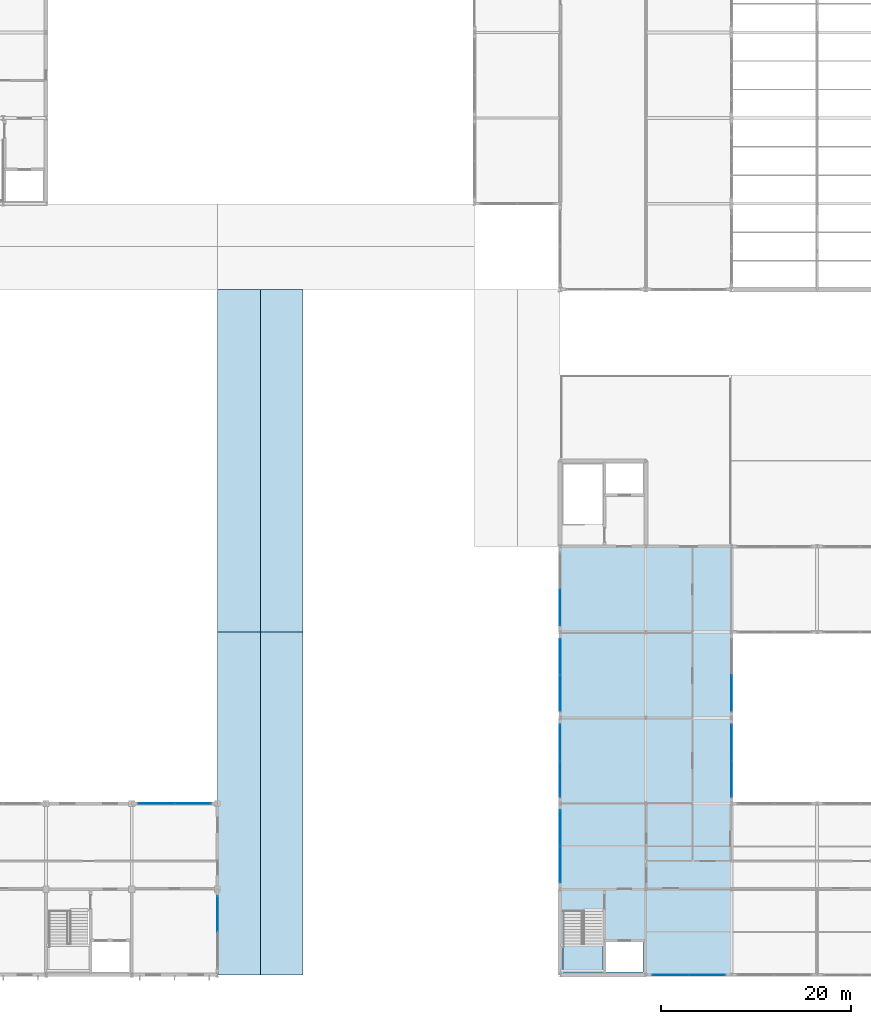
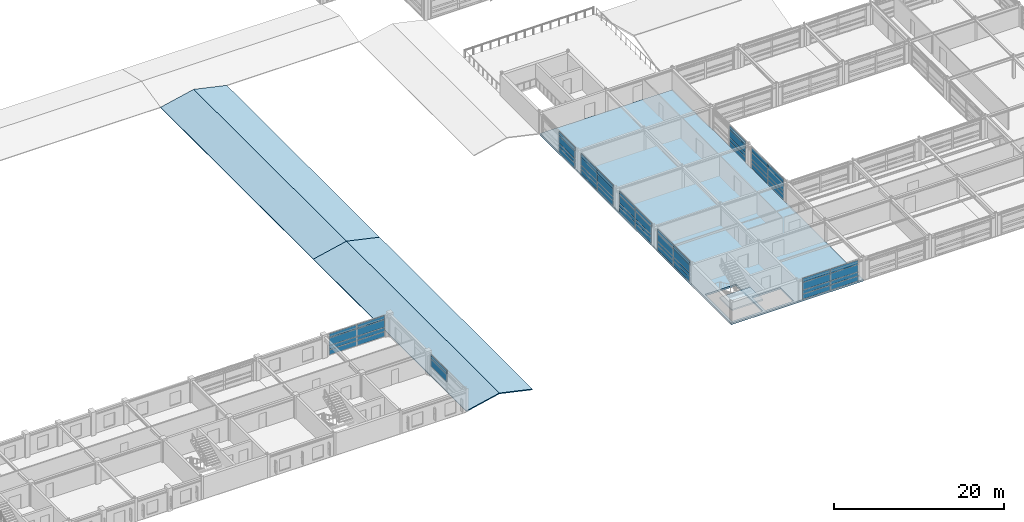
# One storey, part 63 of 91: 58 plates, 6 slabs, 9 elements without a shape of their own.
"""IFC4 building model written with IfcOpenShell, lengths in metres."""

import ifcopenshell
import ifcopenshell.guid

model = None  # the IFC model being written
_history = None  # IfcOwnerHistory: only IFC2X3 demands one
_inside = {}  # id of a spatial element -> (the spatial element, [elements in it])
_under = {}  # id of a project, library or spatial element -> (it, [spatial elements below it])
_declared = {}  # id of a project -> (the project, [libraries it declares])
_typed = {}  # id of a type object -> (the type object, [elements of that type])
_made_of = {}  # id of a material, layer set ... -> (it, [elements and type objects made of it])


def new_model(schema):
    """Start an empty IFC model of exactly this schema.

    Asked for "IFC4X3", IfcOpenShell would pick the latest addendum, in which some entities
    have other attributes; the version numbers below select the first issue.
    IFC2X3 requires an IfcOwnerHistory on every rooted entity: one is made here for all.
    """
    global model, _history
    if schema == "IFC4X3":
        model = ifcopenshell.file(schema_version=(4, 3, 0, 0))
    else:
        model = ifcopenshell.file(schema=schema)
    _inside.clear()
    _under.clear()
    _declared.clear()
    _typed.clear()
    _made_of.clear()
    _history = None
    if model.schema == "IFC2X3":
        org = make("IfcOrganization", Name="unknown")
        user = make(
            "IfcPersonAndOrganization",
            ThePerson=make("IfcPerson", FamilyName="unknown"),
            TheOrganization=org,
        )
        app = make(
            "IfcApplication",
            ApplicationDeveloper=org,
            Version="unknown",
            ApplicationFullName="unknown",
            ApplicationIdentifier="unknown",
        )
        _history = make(
            "IfcOwnerHistory",
            OwningUser=user,
            OwningApplication=app,
            ChangeAction="ADDED",
            CreationDate=0,
        )
    return model


def make(cls, **values):
    """One entity of the class cls with the attributes given. An attribute that is None is left unset."""
    return model.create_entity(
        cls, **{name: value for name, value in values.items() if value is not None}
    )


def rooted(cls, **values):
    """An entity with a GlobalId (a new one), such as an element, a storey or a relation."""
    return make(cls, GlobalId=ifcopenshell.guid.new(), OwnerHistory=_history, **values)


def si_unit(unit_type, name, prefix=None):
    """IfcSIUnit, for example si_unit("LENGTHUNIT", "METRE", prefix="MILLI")."""
    return make("IfcSIUnit", UnitType=unit_type, Prefix=prefix, Name=name)


def assignment(units):
    """IfcUnitAssignment: the units of a project."""
    return None if units is None else make("IfcUnitAssignment", Units=units)


def point(xyz):
    """IfcCartesianPoint."""
    return None if xyz is None else make("IfcCartesianPoint", Coordinates=xyz)


def direction(xyz):
    """IfcDirection."""
    return None if xyz is None else make("IfcDirection", DirectionRatios=xyz)


def frame(location, z_axis=None, x_axis=None):
    """IfcAxis2Placement3D, a coordinate frame: its origin and axes. An axis left out is left unset."""
    return make(
        "IfcAxis2Placement3D",
        Location=point(location),
        Axis=direction(z_axis),
        RefDirection=direction(x_axis),
    )


def frame_2d(location, x_axis=None):
    """IfcAxis2Placement2D, a coordinate frame in the plane: its origin and x axis."""
    return make(
        "IfcAxis2Placement2D", Location=point(location), RefDirection=direction(x_axis)
    )


def origin():
    """The frame at (0, 0, 0) with its axes left unset."""
    return frame((0.0, 0.0, 0.0))


def origin_2d():
    """The frame at (0, 0) in the plane with its x axis left unset."""
    return frame_2d((0.0, 0.0))


def place(relative_to, where):
    """IfcLocalPlacement: puts the frame where relative to a parent placement (None: the world)."""
    return make(
        "IfcLocalPlacement", PlacementRelTo=relative_to, RelativePlacement=where
    )


def context(
    kind, dimensions, precision=None, world=None, true_north=None, identifier=None
):
    """IfcGeometricRepresentationContext, for example the 3D "Model" context."""
    return make(
        "IfcGeometricRepresentationContext",
        ContextIdentifier=identifier,
        ContextType=kind,
        CoordinateSpaceDimension=dimensions,
        Precision=precision,
        WorldCoordinateSystem=world,
        TrueNorth=true_north,
    )


def subcontext(parent, identifier, kind, view, scale=None):
    """IfcGeometricRepresentationSubContext, for example "Body" below "Model"."""
    return make(
        "IfcGeometricRepresentationSubContext",
        ContextIdentifier=identifier,
        ContextType=kind,
        ParentContext=parent,
        TargetScale=scale,
        TargetView=view,
    )


def project(units=None, contexts=None):
    """IfcProject with its units and contexts."""
    return rooted(
        "IfcProject",
        Name="project",
        RepresentationContexts=contexts,
        UnitsInContext=assignment(units),
    )


def spatial(cls, under=None, at=None, **own):
    """A site, building, storey or space (cls), placed at a placement, below another one or the project."""
    s = rooted(cls, ObjectPlacement=at, **own)
    if under is not None:
        _under.setdefault(under.id(), (under, []))[1].append(s)
    return s


def polyline(points):
    """IfcPolyline through the points."""
    return make("IfcPolyline", Points=[point(p) for p in points])


def profile(cls, at=None, kind="AREA", **sizes):
    """A parametric profile (cls). Its sizes go by their IFC names, for example OverallWidth=200.0."""
    return make(cls, ProfileType=kind, Position=at, **sizes)


def rectangle(**sizes):
    """IfcRectangleProfileDef."""
    return profile("IfcRectangleProfileDef", **sizes)


def outline(outer, holes=None, kind="AREA"):
    """IfcArbitraryClosedProfileDef: a profile drawn as a closed curve; with holes, ...WithVoids."""
    if holes is None:
        return make("IfcArbitraryClosedProfileDef", ProfileType=kind, OuterCurve=outer)
    return make(
        "IfcArbitraryProfileDefWithVoids",
        ProfileType=kind,
        OuterCurve=outer,
        InnerCurves=holes,
    )


def extrude(swept, where, along, depth):
    """IfcExtrudedAreaSolid: the profile swept, set in the frame where, extruded along a direction by depth."""
    return make(
        "IfcExtrudedAreaSolid",
        SweptArea=swept,
        Position=where,
        ExtrudedDirection=direction(along),
        Depth=depth,
    )


def shape(context_of_items, identifier, shape_type, items):
    """IfcShapeRepresentation: the items that make up one representation, for example the "Body"."""
    return make(
        "IfcShapeRepresentation",
        ContextOfItems=context_of_items,
        RepresentationIdentifier=identifier,
        RepresentationType=shape_type,
        Items=items,
    )


def material(Name=None, Category=None):
    """IfcMaterial."""
    return make("IfcMaterial", Name=Name, Category=Category)


def layer(
    of_material, thickness, ventilated=None, Name=None, Category=None, Priority=None
):
    """IfcMaterialLayer: one layer of a wall or slab, of a material (None: an air gap)."""
    return make(
        "IfcMaterialLayer",
        Material=of_material,
        LayerThickness=thickness,
        IsVentilated=ventilated,
        Name=Name,
        Category=Category,
        Priority=Priority,
    )


def layer_set(layers, Name=None):
    """IfcMaterialLayerSet."""
    return make("IfcMaterialLayerSet", MaterialLayers=layers, LayerSetName=Name)


def made_of(thing, what):
    """Note that an element or type object is made of a material, layer set ...; save() writes the relation."""
    if what is not None:
        _made_of.setdefault(what.id(), (what, []))[1].append(thing)
    return thing


def type_object(cls, material=None, **own):
    """A type object (cls), such as IfcWallType, which elements share."""
    return made_of(rooted(cls, **own), material)


def element(
    cls,
    number,
    at=None,
    inside=None,
    cuts=None,
    type_object=None,
    material=None,
    context=None,
    identifier="Body",
    shape_type=None,
    held_by="IfcProductDefinitionShape",
    body=None,
    shapes=None,
    **own,
):
    """One element of the class cls, such as IfcWall. Its Tag is "e" and its number.

    at: its placement. inside: the storey or other place that contains it. cuts: it is an
    opening in that element (IfcRelVoidsElement). A single representation is given by context,
    identifier, shape_type and body (its items); several are given by shapes. held_by: the class
    of the entity that holds the representations. save() writes the other relations.
    """
    e = rooted(cls, Tag="e%d" % number, ObjectPlacement=at, **own)
    if body is not None:
        shapes = [shape(context, identifier, shape_type, body)]
    if shapes is not None:
        e.Representation = make(held_by, Representations=shapes)
    if inside is not None:
        _inside.setdefault(inside.id(), (inside, []))[1].append(e)
    if cuts is not None:
        rooted(
            "IfcRelVoidsElement", RelatingBuildingElement=cuts, RelatedOpeningElement=e
        )
    if type_object is not None:
        _typed.setdefault(type_object.id(), (type_object, []))[1].append(e)
    return made_of(e, material)


def aggregate(whole, parts):
    """IfcRelAggregates: a whole, such as a stair, and the parts it consists of."""
    return rooted("IfcRelAggregates", RelatingObject=whole, RelatedObjects=parts)


def save(model, path):
    """Write the relations noted so far, then the file.

    IfcRelAggregates (storeys below a building ...), IfcRelContainedInSpatialStructure (elements
    in a storey), IfcRelDefinesByType, IfcRelAssociatesMaterial and IfcRelDeclares: one each for
    every whole, place, type object, material and project.
    """
    for whole, parts in _under.values():
        aggregate(whole, parts)
    for where, things in _inside.values():
        rooted(
            "IfcRelContainedInSpatialStructure",
            RelatedElements=things,
            RelatingStructure=where,
        )
    for kind, things in _typed.values():
        rooted("IfcRelDefinesByType", RelatedObjects=things, RelatingType=kind)
    for what, things in _made_of.values():
        rooted("IfcRelAssociatesMaterial", RelatedObjects=things, RelatingMaterial=what)
    for by, libraries in _declared.values():
        rooted("IfcRelDeclares", RelatingContext=by, RelatedDefinitions=libraries)
    model.write(path)


model = new_model("IFC4")

# Units and contexts
model_context = context("Model", 3, precision=1e-05, world=origin(), true_north=direction((0.0, 1.0)))
body_context = subcontext(model_context, "Body", "Model", "MODEL_VIEW")
ifc_project = project(units=[si_unit("LENGTHUNIT", "METRE"), si_unit("AREAUNIT", "SQUARE_METRE"), si_unit("VOLUMEUNIT", "CUBIC_METRE"), si_unit("PLANEANGLEUNIT", "RADIAN"), si_unit("MASSUNIT", "GRAM", prefix="KILO")], contexts=[model_context])

# Site, building, storey
site_placement = place(None, origin())
site = spatial("IfcSite", under=ifc_project, at=site_placement, CompositionType="ELEMENT")
building_placement = place(site_placement, origin())
building = spatial("IfcBuilding", under=site, at=building_placement, Name="Palais des Congres Ocreval", CompositionType="ELEMENT")
storey_placement = place(building_placement, frame((0.0, 0.0, 8.159912109375)))
storey = spatial("IfcBuildingStorey", under=building, at=storey_placement, Name="L02", CompositionType="ELEMENT", Elevation=8.159912109375)

# Curtain wall, plates
ifc_material_1 = material(Name="Anodized bronze aluminium and low-E glass", Category="glass")
curtain_wall_type = type_object("IfcCurtainWallType", Name="Unitised Curtain Wall 7900x3120", PredefinedType="USERDEFINED", material=ifc_material_1)
curtain_wall_1_placement = place(storey_placement, origin())
curtain_wall_1 = element("IfcCurtainWall", 1, at=curtain_wall_1_placement, inside=storey, type_object=curtain_wall_type, Name="Unitised Curtain Wall CW03 L02", ObjectType="UNITISED CURTAIN WALL", PredefinedType="USERDEFINED")
ifc_material_2 = material(Name="Acoustic triple glazing", Category="glass")
ifc_layer_1 = layer(ifc_material_2, 0.0439453125)
ifc_layer_set_1 = layer_set([ifc_layer_1], Name="Acoustic Laminated Glazing Panel 44 (Acoustic triple glazing)")
plate_type_1 = type_object("IfcPlateType", Name="Acoustic Laminated Glazing Panel 44", PredefinedType="CURTAIN_PANEL", material=ifc_layer_set_1)
plate_1_placement = place(storey_placement, frame((108.0, 11.59375, 0.06005859375), z_axis=(0.0, 0.0, 1.0), x_axis=(0.0, 1.0, 0.0)))
plate_1 = element("IfcPlate", 2, at=plate_1_placement, type_object=plate_type_1, Name="Vision Glazing Panel VP02", PredefinedType="CURTAIN_PANEL", context=body_context, shape_type="SweptSolid", body=[
    extrude(rectangle(XDim=3.737548828125, YDim=0.0439453125, at=origin_2d()), origin(), (0.0, 0.0, 1.0), 0.68994140625),
])
plate_2_placement = place(storey_placement, frame((108.0, 11.59375, 0.81005859375), z_axis=(0.0, 0.0, 1.0), x_axis=(0.0, 1.0, 0.0)))
plate_2 = element("IfcPlate", 3, at=plate_2_placement, type_object=plate_type_1, Name="Vision Glazing Panel VP02", PredefinedType="CURTAIN_PANEL", context=body_context, shape_type="SweptSolid", body=[
    extrude(rectangle(XDim=3.737548828125, YDim=0.0439453125, at=origin_2d()), origin(), (0.0, 0.0, 1.0), 0.512939453125),
])
plate_3_placement = place(storey_placement, frame((108.0, 11.59375, 1.3828125), z_axis=(0.0, 0.0, 1.0), x_axis=(0.0, 1.0, 0.0)))
plate_3 = element("IfcPlate", 4, at=plate_3_placement, type_object=plate_type_1, Name="Vision Glazing Panel VP02", PredefinedType="CURTAIN_PANEL", context=body_context, shape_type="SweptSolid", body=[
    extrude(rectangle(XDim=3.737548828125, YDim=0.0439453125, at=origin_2d()), origin(), (0.0, 0.0, 1.0), 1.047119140625),
])
plate_4_placement = place(storey_placement, frame((108.0, 15.40625, 0.06005859375), z_axis=(0.0, 0.0, 1.0), x_axis=(0.0, 1.0, 0.0)))
plate_4 = element("IfcPlate", 5, at=plate_4_placement, type_object=plate_type_1, Name="Vision Glazing Panel VP02", PredefinedType="CURTAIN_PANEL", context=body_context, shape_type="SweptSolid", body=[
    extrude(rectangle(XDim=3.737548828125, YDim=0.0439453125, at=origin_2d()), origin(), (0.0, 0.0, 1.0), 0.68994140625),
])
plate_5_placement = place(storey_placement, frame((108.0, 15.40625, 0.81005859375), z_axis=(0.0, 0.0, 1.0), x_axis=(0.0, 1.0, 0.0)))
plate_5 = element("IfcPlate", 6, at=plate_5_placement, type_object=plate_type_1, Name="Vision Glazing Panel VP02", PredefinedType="CURTAIN_PANEL", context=body_context, shape_type="SweptSolid", body=[
    extrude(rectangle(XDim=3.737548828125, YDim=0.0439453125, at=origin_2d()), origin(), (0.0, 0.0, 1.0), 0.512939453125),
])
plate_6_placement = place(storey_placement, frame((108.0, 15.40625, 1.3828125), z_axis=(0.0, 0.0, 1.0), x_axis=(0.0, 1.0, 0.0)))
plate_6 = element("IfcPlate", 7, at=plate_6_placement, type_object=plate_type_1, Name="Vision Glazing Panel VP02", PredefinedType="CURTAIN_PANEL", context=body_context, shape_type="SweptSolid", body=[
    extrude(rectangle(XDim=3.737548828125, YDim=0.0439453125, at=origin_2d()), origin(), (0.0, 0.0, 1.0), 1.047119140625),
])

curtain_wall_2_placement = place(storey_placement, origin())
curtain_wall_2 = element("IfcCurtainWall", 8, at=curtain_wall_2_placement, inside=storey, type_object=curtain_wall_type, Name="Unitised Curtain Wall CW03 L02", ObjectType="UNITISED CURTAIN WALL", PredefinedType="USERDEFINED")
plate_7_placement = place(storey_placement, frame((108.0, 38.59375, 0.06005859375), z_axis=(0.0, 0.0, 1.0), x_axis=(0.0, 1.0, 0.0)))
plate_7 = element("IfcPlate", 9, at=plate_7_placement, type_object=plate_type_1, Name="Vision Glazing Panel VP02", PredefinedType="CURTAIN_PANEL", context=body_context, shape_type="SweptSolid", body=[
    extrude(rectangle(XDim=3.737548828125, YDim=0.0439453125, at=origin_2d()), origin(), (0.0, 0.0, 1.0), 0.68994140625),
])
plate_8_placement = place(storey_placement, frame((108.0, 38.59375, 0.81005859375), z_axis=(0.0, 0.0, 1.0), x_axis=(0.0, 1.0, 0.0)))
plate_8 = element("IfcPlate", 10, at=plate_8_placement, type_object=plate_type_1, Name="Vision Glazing Panel VP02", PredefinedType="CURTAIN_PANEL", context=body_context, shape_type="SweptSolid", body=[
    extrude(rectangle(XDim=3.737548828125, YDim=0.0439453125, at=origin_2d()), origin(), (0.0, 0.0, 1.0), 0.512939453125),
])
plate_9_placement = place(storey_placement, frame((108.0, 38.59375, 1.3828125), z_axis=(0.0, 0.0, 1.0), x_axis=(0.0, 1.0, 0.0)))
plate_9 = element("IfcPlate", 11, at=plate_9_placement, type_object=plate_type_1, Name="Vision Glazing Panel VP02", PredefinedType="CURTAIN_PANEL", context=body_context, shape_type="SweptSolid", body=[
    extrude(rectangle(XDim=3.737548828125, YDim=0.0439453125, at=origin_2d()), origin(), (0.0, 0.0, 1.0), 1.047119140625),
])

curtain_wall_3_placement = place(storey_placement, origin())
curtain_wall_3 = element("IfcCurtainWall", 12, at=curtain_wall_3_placement, inside=storey, type_object=curtain_wall_type, Name="Unitised Curtain Wall CW03 L02", ObjectType="UNITISED CURTAIN WALL", PredefinedType="USERDEFINED")
ifc_material_3 = material(Name="Anodized bronze aluminium", Category="aluminium")
ifc_layer_2 = layer(ifc_material_3, 0.06005859375)
ifc_layer_set_2 = layer_set([ifc_layer_2], Name="Anodized Bronze Spandrel Cassette 60 (Anodized bronze aluminium)")
plate_type_2 = type_object("IfcPlateType", Name="Anodized Bronze Spandrel Cassette 60", PredefinedType="SHEET", material=ifc_layer_set_2)
plate_10_placement = place(storey_placement, frame((65.59375, 18.0, 2.52001953125), z_axis=(0.0, 0.0, 1.0), x_axis=(1.0, 0.0, 0.0)))
plate_10 = element("IfcPlate", 13, at=plate_10_placement, type_object=plate_type_2, Name="Spandrel Sheet SPN1", PredefinedType="SHEET", context=body_context, shape_type="SweptSolid", body=[
    extrude(rectangle(XDim=3.737548828125, YDim=0.06005859375, at=origin_2d()), origin(), (0.0, 0.0, 1.0), 0.56005859375),
])
plate_11_placement = place(storey_placement, frame((69.40625, 18.0, 2.52001953125), z_axis=(0.0, 0.0, 1.0), x_axis=(1.0, 0.0, 0.0)))
plate_11 = element("IfcPlate", 14, at=plate_11_placement, type_object=plate_type_2, Name="Spandrel Sheet SPN1", PredefinedType="SHEET", context=body_context, shape_type="SweptSolid", body=[
    extrude(rectangle(XDim=3.737548828125, YDim=0.06005859375, at=origin_2d()), origin(), (0.0, 0.0, 1.0), 0.56005859375),
])

curtain_wall_4_placement = place(storey_placement, origin())
curtain_wall_4 = element("IfcCurtainWall", 15, at=curtain_wall_4_placement, inside=storey, type_object=curtain_wall_type, Name="Unitised Curtain Wall CW03 L02", ObjectType="UNITISED CURTAIN WALL", PredefinedType="USERDEFINED")
plate_12_placement = place(storey_placement, frame((123.40625, 0.0, 2.489990234375), z_axis=(0.0, 0.0, 1.0), x_axis=(-1.0, 0.0, 0.0)))
plate_12 = element("IfcPlate", 16, at=plate_12_placement, type_object=plate_type_2, Name="Spandrel Sheet SPN1", PredefinedType="SHEET", context=body_context, shape_type="SweptSolid", body=[
    extrude(rectangle(XDim=3.737548828125, YDim=0.06005859375, at=origin_2d()), origin(), (0.0, 0.0, 1.0), 0.56005859375),
])
plate_13_placement = place(storey_placement, frame((119.59375, 0.0, 2.489990234375), z_axis=(0.0, 0.0, 1.0), x_axis=(-1.0, 0.0, 0.0)))
plate_13 = element("IfcPlate", 17, at=plate_13_placement, type_object=plate_type_2, Name="Spandrel Sheet SPN1", PredefinedType="SHEET", context=body_context, shape_type="SweptSolid", body=[
    extrude(rectangle(XDim=3.737548828125, YDim=0.06005859375, at=origin_2d()), origin(), (0.0, 0.0, 1.0), 0.56005859375),
])

curtain_wall_5_placement = place(storey_placement, origin())
curtain_wall_5 = element("IfcCurtainWall", 18, at=curtain_wall_5_placement, inside=storey, type_object=curtain_wall_type, Name="Unitised Curtain Wall CW03 L02", ObjectType="UNITISED CURTAIN WALL", PredefinedType="USERDEFINED")
plate_14_placement = place(storey_placement, frame((108.0, 20.59375, 2.489990234375), z_axis=(0.0, 0.0, 1.0), x_axis=(0.0, 1.0, 0.0)))
plate_14 = element("IfcPlate", 19, at=plate_14_placement, type_object=plate_type_2, Name="Spandrel Sheet SPN1", PredefinedType="SHEET", context=body_context, shape_type="SweptSolid", body=[
    extrude(rectangle(XDim=3.737548828125, YDim=0.06005859375, at=origin_2d()), origin(), (0.0, 0.0, 1.0), 0.56005859375),
])
plate_15_placement = place(storey_placement, frame((108.0, 24.40625, 2.489990234375), z_axis=(0.0, 0.0, 1.0), x_axis=(0.0, 1.0, 0.0)))
plate_15 = element("IfcPlate", 20, at=plate_15_placement, type_object=plate_type_2, Name="Spandrel Sheet SPN1", PredefinedType="SHEET", context=body_context, shape_type="SweptSolid", body=[
    extrude(rectangle(XDim=3.737548828125, YDim=0.06005859375, at=origin_2d()), origin(), (0.0, 0.0, 1.0), 0.56005859375),
])

# Plate
plate_16_placement = place(storey_placement, frame((108.0, 38.59375, 2.489990234375), z_axis=(0.0, 0.0, 1.0), x_axis=(0.0, 1.0, 0.0)))
plate_16 = element("IfcPlate", 21, at=plate_16_placement, type_object=plate_type_2, Name="Spandrel Sheet SPN1", PredefinedType="SHEET", context=body_context, shape_type="SweptSolid", body=[
    extrude(rectangle(XDim=3.737548828125, YDim=0.06005859375, at=origin_2d()), origin(), (0.0, 0.0, 1.0), 0.56005859375),
])

aggregate(curtain_wall_2, [plate_7, plate_8, plate_9, plate_16])

# Curtain wall, plate
curtain_wall_6_placement = place(storey_placement, origin())
curtain_wall_6 = element("IfcCurtainWall", 22, at=curtain_wall_6_placement, inside=storey, type_object=curtain_wall_type, Name="Unitised Curtain Wall CW03 L02", ObjectType="UNITISED CURTAIN WALL", PredefinedType="USERDEFINED")
plate_17_placement = place(storey_placement, frame((126.0, 29.59375, 2.489990234375), z_axis=(0.0, 0.0, 1.0), x_axis=(0.0, -1.0, 0.0)))
plate_17 = element("IfcPlate", 23, at=plate_17_placement, type_object=plate_type_2, Name="Spandrel Sheet SPN1", PredefinedType="SHEET", context=body_context, shape_type="SweptSolid", body=[
    extrude(rectangle(XDim=3.737548828125, YDim=0.06005859375, at=origin_2d()), origin(), (0.0, 0.0, 1.0), 0.56005859375),
])

curtain_wall_7_placement = place(storey_placement, origin())
curtain_wall_7 = element("IfcCurtainWall", 24, at=curtain_wall_7_placement, inside=storey, type_object=curtain_wall_type, Name="Unitised Curtain Wall CW03 L02", ObjectType="UNITISED CURTAIN WALL", PredefinedType="USERDEFINED")
ifc_material_4 = material(Name="Low-E solar-control double glazing", Category="glass")
ifc_layer_3 = layer(ifc_material_4, 0.031982421875)
ifc_layer_set_3 = layer_set([ifc_layer_3], Name="Galleria Clear Vision Panel 32 (Low-E solar-control double glazing)")
plate_type_3 = type_object("IfcPlateType", Name="Galleria Clear Vision Panel 32", PredefinedType="CURTAIN_PANEL", material=ifc_layer_set_3)
plate_18_placement = place(storey_placement, frame((72.0, 6.40625, 1.399658203125), z_axis=(0.0, 0.0, 1.0), x_axis=(0.0, -1.0, 0.0)))
plate_18 = element("IfcPlate", 25, at=plate_18_placement, type_object=plate_type_3, Name="Vision Glazing Panel VP03", PredefinedType="CURTAIN_PANEL", context=body_context, shape_type="SweptSolid", body=[
    extrude(rectangle(XDim=3.737548828125, YDim=0.031982421875, at=origin_2d()), origin(), (0.0, 0.0, 1.0), 1.060546875),
])

# Plate
plate_19_placement = place(storey_placement, frame((65.59375, 18.0, 0.06005859375), z_axis=(0.0, 0.0, 1.0), x_axis=(1.0, 0.0, 0.0)))
plate_19 = element("IfcPlate", 26, at=plate_19_placement, type_object=plate_type_3, Name="Vision Glazing Panel VP03", PredefinedType="CURTAIN_PANEL", context=body_context, shape_type="SweptSolid", body=[
    extrude(rectangle(XDim=3.737548828125, YDim=0.031982421875, at=origin_2d()), origin(), (0.0, 0.0, 1.0), 0.68994140625),
])

plate_20_placement = place(storey_placement, frame((65.59375, 18.0, 0.81005859375), z_axis=(0.0, 0.0, 1.0), x_axis=(1.0, 0.0, 0.0)))
plate_20 = element("IfcPlate", 27, at=plate_20_placement, type_object=plate_type_3, Name="Vision Glazing Panel VP03", PredefinedType="CURTAIN_PANEL", context=body_context, shape_type="SweptSolid", body=[
    extrude(rectangle(XDim=3.737548828125, YDim=0.031982421875, at=origin_2d()), origin(), (0.0, 0.0, 1.0), 0.529541015625),
])

plate_21_placement = place(storey_placement, frame((65.59375, 18.0, 1.399658203125), z_axis=(0.0, 0.0, 1.0), x_axis=(1.0, 0.0, 0.0)))
plate_21 = element("IfcPlate", 28, at=plate_21_placement, type_object=plate_type_3, Name="Vision Glazing Panel VP03", PredefinedType="CURTAIN_PANEL", context=body_context, shape_type="SweptSolid", body=[
    extrude(rectangle(XDim=3.737548828125, YDim=0.031982421875, at=origin_2d()), origin(), (0.0, 0.0, 1.0), 1.060546875),
])

plate_22_placement = place(storey_placement, frame((69.40625, 18.0, 0.06005859375), z_axis=(0.0, 0.0, 1.0), x_axis=(1.0, 0.0, 0.0)))
plate_22 = element("IfcPlate", 29, at=plate_22_placement, type_object=plate_type_3, Name="Vision Glazing Panel VP03", PredefinedType="CURTAIN_PANEL", context=body_context, shape_type="SweptSolid", body=[
    extrude(rectangle(XDim=3.737548828125, YDim=0.031982421875, at=origin_2d()), origin(), (0.0, 0.0, 1.0), 0.68994140625),
])

plate_23_placement = place(storey_placement, frame((69.40625, 18.0, 0.81005859375), z_axis=(0.0, 0.0, 1.0), x_axis=(1.0, 0.0, 0.0)))
plate_23 = element("IfcPlate", 30, at=plate_23_placement, type_object=plate_type_3, Name="Vision Glazing Panel VP03", PredefinedType="CURTAIN_PANEL", context=body_context, shape_type="SweptSolid", body=[
    extrude(rectangle(XDim=3.737548828125, YDim=0.031982421875, at=origin_2d()), origin(), (0.0, 0.0, 1.0), 0.529541015625),
])

plate_24_placement = place(storey_placement, frame((69.40625, 18.0, 1.399658203125), z_axis=(0.0, 0.0, 1.0), x_axis=(1.0, 0.0, 0.0)))
plate_24 = element("IfcPlate", 31, at=plate_24_placement, type_object=plate_type_3, Name="Vision Glazing Panel VP03", PredefinedType="CURTAIN_PANEL", context=body_context, shape_type="SweptSolid", body=[
    extrude(rectangle(XDim=3.737548828125, YDim=0.031982421875, at=origin_2d()), origin(), (0.0, 0.0, 1.0), 1.060546875),
])

aggregate(curtain_wall_3, [plate_19, plate_20, plate_21, plate_10, plate_22, plate_23, plate_24, plate_11])

plate_25_placement = place(storey_placement, frame((108.0, 20.59375, 0.06005859375), z_axis=(0.0, 0.0, 1.0), x_axis=(0.0, 1.0, 0.0)))
plate_25 = element("IfcPlate", 32, at=plate_25_placement, type_object=plate_type_3, Name="Vision Glazing Panel VP03", PredefinedType="CURTAIN_PANEL", context=body_context, shape_type="SweptSolid", body=[
    extrude(rectangle(XDim=3.737548828125, YDim=0.031982421875, at=origin_2d()), origin(), (0.0, 0.0, 1.0), 0.68994140625),
])

plate_26_placement = place(storey_placement, frame((108.0, 20.59375, 0.81005859375), z_axis=(0.0, 0.0, 1.0), x_axis=(0.0, 1.0, 0.0)))
plate_26 = element("IfcPlate", 33, at=plate_26_placement, type_object=plate_type_3, Name="Vision Glazing Panel VP03", PredefinedType="CURTAIN_PANEL", context=body_context, shape_type="SweptSolid", body=[
    extrude(rectangle(XDim=3.737548828125, YDim=0.031982421875, at=origin_2d()), origin(), (0.0, 0.0, 1.0), 0.512939453125),
])

plate_27_placement = place(storey_placement, frame((108.0, 20.59375, 1.3828125), z_axis=(0.0, 0.0, 1.0), x_axis=(0.0, 1.0, 0.0)))
plate_27 = element("IfcPlate", 34, at=plate_27_placement, type_object=plate_type_3, Name="Vision Glazing Panel VP03", PredefinedType="CURTAIN_PANEL", context=body_context, shape_type="SweptSolid", body=[
    extrude(rectangle(XDim=3.737548828125, YDim=0.031982421875, at=origin_2d()), origin(), (0.0, 0.0, 1.0), 1.047119140625),
])

plate_28_placement = place(storey_placement, frame((108.0, 24.40625, 0.06005859375), z_axis=(0.0, 0.0, 1.0), x_axis=(0.0, 1.0, 0.0)))
plate_28 = element("IfcPlate", 35, at=plate_28_placement, type_object=plate_type_3, Name="Vision Glazing Panel VP03", PredefinedType="CURTAIN_PANEL", context=body_context, shape_type="SweptSolid", body=[
    extrude(rectangle(XDim=3.737548828125, YDim=0.031982421875, at=origin_2d()), origin(), (0.0, 0.0, 1.0), 0.68994140625),
])

plate_29_placement = place(storey_placement, frame((108.0, 24.40625, 0.81005859375), z_axis=(0.0, 0.0, 1.0), x_axis=(0.0, 1.0, 0.0)))
plate_29 = element("IfcPlate", 36, at=plate_29_placement, type_object=plate_type_3, Name="Vision Glazing Panel VP03", PredefinedType="CURTAIN_PANEL", context=body_context, shape_type="SweptSolid", body=[
    extrude(rectangle(XDim=3.737548828125, YDim=0.031982421875, at=origin_2d()), origin(), (0.0, 0.0, 1.0), 0.512939453125),
])

plate_30_placement = place(storey_placement, frame((108.0, 24.40625, 1.3828125), z_axis=(0.0, 0.0, 1.0), x_axis=(0.0, 1.0, 0.0)))
plate_30 = element("IfcPlate", 37, at=plate_30_placement, type_object=plate_type_3, Name="Vision Glazing Panel VP03", PredefinedType="CURTAIN_PANEL", context=body_context, shape_type="SweptSolid", body=[
    extrude(rectangle(XDim=3.737548828125, YDim=0.031982421875, at=origin_2d()), origin(), (0.0, 0.0, 1.0), 1.047119140625),
])

aggregate(curtain_wall_5, [plate_25, plate_26, plate_27, plate_14, plate_28, plate_29, plate_30, plate_15])

plate_31_placement = place(storey_placement, frame((126.0, 29.59375, 0.06005859375), z_axis=(0.0, 0.0, 1.0), x_axis=(0.0, -1.0, 0.0)))
plate_31 = element("IfcPlate", 38, at=plate_31_placement, type_object=plate_type_3, Name="Vision Glazing Panel VP03", PredefinedType="CURTAIN_PANEL", context=body_context, shape_type="SweptSolid", body=[
    extrude(rectangle(XDim=3.737548828125, YDim=0.031982421875, at=origin_2d()), origin(), (0.0, 0.0, 1.0), 0.68994140625),
])

plate_32_placement = place(storey_placement, frame((126.0, 29.59375, 0.81005859375), z_axis=(0.0, 0.0, 1.0), x_axis=(0.0, -1.0, 0.0)))
plate_32 = element("IfcPlate", 39, at=plate_32_placement, type_object=plate_type_3, Name="Vision Glazing Panel VP03", PredefinedType="CURTAIN_PANEL", context=body_context, shape_type="SweptSolid", body=[
    extrude(rectangle(XDim=3.737548828125, YDim=0.031982421875, at=origin_2d()), origin(), (0.0, 0.0, 1.0), 0.512939453125),
])

plate_33_placement = place(storey_placement, frame((126.0, 29.59375, 1.3828125), z_axis=(0.0, 0.0, 1.0), x_axis=(0.0, -1.0, 0.0)))
plate_33 = element("IfcPlate", 40, at=plate_33_placement, type_object=plate_type_3, Name="Vision Glazing Panel VP03", PredefinedType="CURTAIN_PANEL", context=body_context, shape_type="SweptSolid", body=[
    extrude(rectangle(XDim=3.737548828125, YDim=0.031982421875, at=origin_2d()), origin(), (0.0, 0.0, 1.0), 1.047119140625),
])

aggregate(curtain_wall_6, [plate_31, plate_32, plate_33, plate_17])

ifc_layer_4 = layer(ifc_material_4, 0.035888671875)
ifc_layer_set_4 = layer_set([ifc_layer_4], Name="Low-E Vision Glazing Panel 36 (Low-E solar-control double glazing)")
plate_type_4 = type_object("IfcPlateType", Name="Low-E Vision Glazing Panel 36", PredefinedType="CURTAIN_PANEL", material=ifc_layer_set_4)
plate_34_placement = place(storey_placement, frame((123.40625, 0.0, 0.06005859375), z_axis=(0.0, 0.0, 1.0), x_axis=(-1.0, 0.0, 0.0)))
plate_34 = element("IfcPlate", 41, at=plate_34_placement, type_object=plate_type_4, Name="Vision Glazing Panel VP01", PredefinedType="CURTAIN_PANEL", context=body_context, shape_type="SweptSolid", body=[
    extrude(rectangle(XDim=3.737548828125, YDim=0.035888671875, at=origin_2d()), origin(), (0.0, 0.0, 1.0), 0.68994140625),
])

plate_35_placement = place(storey_placement, frame((123.40625, 0.0, 0.81005859375), z_axis=(0.0, 0.0, 1.0), x_axis=(-1.0, 0.0, 0.0)))
plate_35 = element("IfcPlate", 42, at=plate_35_placement, type_object=plate_type_4, Name="Vision Glazing Panel VP01", PredefinedType="CURTAIN_PANEL", context=body_context, shape_type="SweptSolid", body=[
    extrude(rectangle(XDim=3.737548828125, YDim=0.035888671875, at=origin_2d()), origin(), (0.0, 0.0, 1.0), 0.512939453125),
])

plate_36_placement = place(storey_placement, frame((123.40625, 0.0, 1.3828125), z_axis=(0.0, 0.0, 1.0), x_axis=(-1.0, 0.0, 0.0)))
plate_36 = element("IfcPlate", 43, at=plate_36_placement, type_object=plate_type_4, Name="Vision Glazing Panel VP01", PredefinedType="CURTAIN_PANEL", context=body_context, shape_type="SweptSolid", body=[
    extrude(rectangle(XDim=3.737548828125, YDim=0.035888671875, at=origin_2d()), origin(), (0.0, 0.0, 1.0), 1.047119140625),
])

plate_37_placement = place(storey_placement, frame((119.59375, 0.0, 0.06005859375), z_axis=(0.0, 0.0, 1.0), x_axis=(-1.0, 0.0, 0.0)))
plate_37 = element("IfcPlate", 44, at=plate_37_placement, type_object=plate_type_4, Name="Vision Glazing Panel VP01", PredefinedType="CURTAIN_PANEL", context=body_context, shape_type="SweptSolid", body=[
    extrude(rectangle(XDim=3.737548828125, YDim=0.035888671875, at=origin_2d()), origin(), (0.0, 0.0, 1.0), 0.68994140625),
])

plate_38_placement = place(storey_placement, frame((119.59375, 0.0, 0.81005859375), z_axis=(0.0, 0.0, 1.0), x_axis=(-1.0, 0.0, 0.0)))
plate_38 = element("IfcPlate", 45, at=plate_38_placement, type_object=plate_type_4, Name="Vision Glazing Panel VP01", PredefinedType="CURTAIN_PANEL", context=body_context, shape_type="SweptSolid", body=[
    extrude(rectangle(XDim=3.737548828125, YDim=0.035888671875, at=origin_2d()), origin(), (0.0, 0.0, 1.0), 0.512939453125),
])

plate_39_placement = place(storey_placement, frame((119.59375, 0.0, 1.3828125), z_axis=(0.0, 0.0, 1.0), x_axis=(-1.0, 0.0, 0.0)))
plate_39 = element("IfcPlate", 46, at=plate_39_placement, type_object=plate_type_4, Name="Vision Glazing Panel VP01", PredefinedType="CURTAIN_PANEL", context=body_context, shape_type="SweptSolid", body=[
    extrude(rectangle(XDim=3.737548828125, YDim=0.035888671875, at=origin_2d()), origin(), (0.0, 0.0, 1.0), 1.047119140625),
])

aggregate(curtain_wall_4, [plate_34, plate_35, plate_36, plate_12, plate_37, plate_38, plate_39, plate_13])

# Curtain wall, plates
curtain_wall_8_placement = place(storey_placement, origin())
curtain_wall_8 = element("IfcCurtainWall", 47, at=curtain_wall_8_placement, inside=storey, type_object=curtain_wall_type, Name="Unitised Curtain Wall CW03 L02", ObjectType="UNITISED CURTAIN WALL", PredefinedType="USERDEFINED")
plate_40_placement = place(storey_placement, frame((108.0, 29.59375, 0.06005859375), z_axis=(0.0, 0.0, 1.0), x_axis=(0.0, 1.0, 0.0)))
plate_40 = element("IfcPlate", 48, at=plate_40_placement, type_object=plate_type_4, Name="Vision Glazing Panel VP01", PredefinedType="CURTAIN_PANEL", context=body_context, shape_type="SweptSolid", body=[
    extrude(rectangle(XDim=3.737548828125, YDim=0.035888671875, at=origin_2d()), origin(), (0.0, 0.0, 1.0), 0.68994140625),
])
plate_41_placement = place(storey_placement, frame((108.0, 29.59375, 0.81005859375), z_axis=(0.0, 0.0, 1.0), x_axis=(0.0, 1.0, 0.0)))
plate_41 = element("IfcPlate", 49, at=plate_41_placement, type_object=plate_type_4, Name="Vision Glazing Panel VP01", PredefinedType="CURTAIN_PANEL", context=body_context, shape_type="SweptSolid", body=[
    extrude(rectangle(XDim=3.737548828125, YDim=0.035888671875, at=origin_2d()), origin(), (0.0, 0.0, 1.0), 0.512939453125),
])
plate_42_placement = place(storey_placement, frame((108.0, 29.59375, 1.3828125), z_axis=(0.0, 0.0, 1.0), x_axis=(0.0, 1.0, 0.0)))
plate_42 = element("IfcPlate", 50, at=plate_42_placement, type_object=plate_type_4, Name="Vision Glazing Panel VP01", PredefinedType="CURTAIN_PANEL", context=body_context, shape_type="SweptSolid", body=[
    extrude(rectangle(XDim=3.737548828125, YDim=0.035888671875, at=origin_2d()), origin(), (0.0, 0.0, 1.0), 1.047119140625),
])
plate_43_placement = place(storey_placement, frame((108.0, 33.40625, 0.06005859375), z_axis=(0.0, 0.0, 1.0), x_axis=(0.0, 1.0, 0.0)))
plate_43 = element("IfcPlate", 51, at=plate_43_placement, type_object=plate_type_4, Name="Vision Glazing Panel VP01", PredefinedType="CURTAIN_PANEL", context=body_context, shape_type="SweptSolid", body=[
    extrude(rectangle(XDim=3.737548828125, YDim=0.035888671875, at=origin_2d()), origin(), (0.0, 0.0, 1.0), 0.68994140625),
])
plate_44_placement = place(storey_placement, frame((108.0, 33.40625, 0.81005859375), z_axis=(0.0, 0.0, 1.0), x_axis=(0.0, 1.0, 0.0)))
plate_44 = element("IfcPlate", 52, at=plate_44_placement, type_object=plate_type_4, Name="Vision Glazing Panel VP01", PredefinedType="CURTAIN_PANEL", context=body_context, shape_type="SweptSolid", body=[
    extrude(rectangle(XDim=3.737548828125, YDim=0.035888671875, at=origin_2d()), origin(), (0.0, 0.0, 1.0), 0.512939453125),
])
plate_45_placement = place(storey_placement, frame((108.0, 33.40625, 1.3828125), z_axis=(0.0, 0.0, 1.0), x_axis=(0.0, 1.0, 0.0)))
plate_45 = element("IfcPlate", 53, at=plate_45_placement, type_object=plate_type_4, Name="Vision Glazing Panel VP01", PredefinedType="CURTAIN_PANEL", context=body_context, shape_type="SweptSolid", body=[
    extrude(rectangle(XDim=3.737548828125, YDim=0.035888671875, at=origin_2d()), origin(), (0.0, 0.0, 1.0), 1.047119140625),
])

curtain_wall_9_placement = place(storey_placement, origin())
curtain_wall_9 = element("IfcCurtainWall", 54, at=curtain_wall_9_placement, inside=storey, type_object=curtain_wall_type, Name="Unitised Curtain Wall CW03 L02", ObjectType="UNITISED CURTAIN WALL", PredefinedType="USERDEFINED")
plate_46_placement = place(storey_placement, frame((126.0, 24.40625, 0.06005859375), z_axis=(0.0, 0.0, 1.0), x_axis=(0.0, -1.0, 0.0)))
plate_46 = element("IfcPlate", 55, at=plate_46_placement, type_object=plate_type_4, Name="Vision Glazing Panel VP01", PredefinedType="CURTAIN_PANEL", context=body_context, shape_type="SweptSolid", body=[
    extrude(rectangle(XDim=3.737548828125, YDim=0.035888671875, at=origin_2d()), origin(), (0.0, 0.0, 1.0), 0.68994140625),
])
plate_47_placement = place(storey_placement, frame((126.0, 24.40625, 0.81005859375), z_axis=(0.0, 0.0, 1.0), x_axis=(0.0, -1.0, 0.0)))
plate_47 = element("IfcPlate", 56, at=plate_47_placement, type_object=plate_type_4, Name="Vision Glazing Panel VP01", PredefinedType="CURTAIN_PANEL", context=body_context, shape_type="SweptSolid", body=[
    extrude(rectangle(XDim=3.737548828125, YDim=0.035888671875, at=origin_2d()), origin(), (0.0, 0.0, 1.0), 0.512939453125),
])
plate_48_placement = place(storey_placement, frame((126.0, 24.40625, 1.3828125), z_axis=(0.0, 0.0, 1.0), x_axis=(0.0, -1.0, 0.0)))
plate_48 = element("IfcPlate", 57, at=plate_48_placement, type_object=plate_type_4, Name="Vision Glazing Panel VP01", PredefinedType="CURTAIN_PANEL", context=body_context, shape_type="SweptSolid", body=[
    extrude(rectangle(XDim=3.737548828125, YDim=0.035888671875, at=origin_2d()), origin(), (0.0, 0.0, 1.0), 1.047119140625),
])
plate_49_placement = place(storey_placement, frame((126.0, 20.59375, 0.06005859375), z_axis=(0.0, 0.0, 1.0), x_axis=(0.0, -1.0, 0.0)))
plate_49 = element("IfcPlate", 58, at=plate_49_placement, type_object=plate_type_4, Name="Vision Glazing Panel VP01", PredefinedType="CURTAIN_PANEL", context=body_context, shape_type="SweptSolid", body=[
    extrude(rectangle(XDim=3.737548828125, YDim=0.035888671875, at=origin_2d()), origin(), (0.0, 0.0, 1.0), 0.68994140625),
])
plate_50_placement = place(storey_placement, frame((126.0, 20.59375, 0.81005859375), z_axis=(0.0, 0.0, 1.0), x_axis=(0.0, -1.0, 0.0)))
plate_50 = element("IfcPlate", 59, at=plate_50_placement, type_object=plate_type_4, Name="Vision Glazing Panel VP01", PredefinedType="CURTAIN_PANEL", context=body_context, shape_type="SweptSolid", body=[
    extrude(rectangle(XDim=3.737548828125, YDim=0.035888671875, at=origin_2d()), origin(), (0.0, 0.0, 1.0), 0.512939453125),
])
plate_51_placement = place(storey_placement, frame((126.0, 20.59375, 1.3828125), z_axis=(0.0, 0.0, 1.0), x_axis=(0.0, -1.0, 0.0)))
plate_51 = element("IfcPlate", 60, at=plate_51_placement, type_object=plate_type_4, Name="Vision Glazing Panel VP01", PredefinedType="CURTAIN_PANEL", context=body_context, shape_type="SweptSolid", body=[
    extrude(rectangle(XDim=3.737548828125, YDim=0.035888671875, at=origin_2d()), origin(), (0.0, 0.0, 1.0), 1.047119140625),
])

# Slabs
ifc_material_5 = material(Name="Concrete C40/50", Category="concrete")
ifc_layer_5 = layer(ifc_material_5, 0.139892578125)
ifc_layer_set_5 = layer_set([ifc_layer_5], Name="Skylight and Pavilion Roof Slab 140 Concrete C40/50")
slab_type_1 = type_object("IfcSlabType", Name="Skylight and Pavilion Roof Slab 140 Concrete C40/50", PredefinedType="ROOF", material=ifc_layer_set_5)
for number, where, z_axis, x_axis, name in (
    (61, (72.0, 0.0, 0.0), (-0.216526648343, 0.0, 0.976276707987), (0.976276707987, 0.0, 0.216526648343), "Crossroads Galleria West Roof 1"),
    (62, (76.5, 0.0, 0.998046875), (0.216526648343, 0.0, 0.976276707987), (0.976276707987, 0.0, -0.216526648343), "Crossroads Galleria East Roof 1"),
    (63, (72.0, 36.0, 0.0), (-0.216526648343, 0.0, 0.976276707987), (0.976276707987, 0.0, 0.216526648343), "Crossroads Galleria West Roof 2"),
    (64, (76.5, 36.0, 0.998046875), (0.216526648343, 0.0, 0.976276707987), (0.976276707987, 0.0, -0.216526648343), "Crossroads Galleria East Roof 2"),
):
    element("IfcSlab", number, at=place(storey_placement, frame(where, z_axis=z_axis, x_axis=x_axis)), inside=storey, type_object=slab_type_1, Name=name, PredefinedType="ROOF", context=body_context, shape_type="SweptSolid", body=[
        extrude(outline(polyline([(0.0, 0.0), (4.609348930673102, 0.0), (4.609348930673102, 36.0), (0.0, 36.0), (0.0, 0.0)])), origin(), (0.0, 0.0, -1.0), 0.139892578125),
    ])
ifc_layer_6 = layer(ifc_material_5, 0.199951171875)
ifc_layer_set_6 = layer_set([ifc_layer_6], Name="Stair and Ramp Landing Slab 200 Concrete C40/50")
slab_type_2 = type_object("IfcSlabType", Name="Stair and Ramp Landing Slab 200 Concrete C40/50", PredefinedType="LANDING", material=ifc_layer_set_6)
slab_1_placement = place(storey_placement, frame((0.0, 0.0, 1.47998046875)))
element("IfcSlab", 65, at=slab_1_placement, inside=storey, type_object=slab_type_2, Name="Stair Half-Landing ST09 L02", PredefinedType="LANDING", context=body_context, shape_type="SweptSolid", body=[
    extrude(outline(polyline([(108.300048828125, 0.300048828125), (112.5, 0.300048828125), (112.5, 3.239990234375), (108.300048828125, 3.239990234375), (108.300048828125, 0.300048828125)])), origin(), (0.0, 0.0, 1.0), 0.2001953125),
])

# Plate
ifc_material_6 = material(Name="Terracotta ceramic spandrel", Category="masonry")
ifc_layer_7 = layer(ifc_material_6, 0.080078125)
ifc_layer_set_7 = layer_set([ifc_layer_7], Name="Terracotta Insulated Spandrel Sheet 80 (Terracotta ceramic spandrel)")
plate_type_5 = type_object("IfcPlateType", Name="Terracotta Insulated Spandrel Sheet 80", PredefinedType="SHEET", material=ifc_layer_set_7)
plate_52_placement = place(storey_placement, frame((72.0, 6.40625, 2.52001953125), z_axis=(0.0, 0.0, 1.0), x_axis=(0.0, -1.0, 0.0)))
plate_52 = element("IfcPlate", 66, at=plate_52_placement, type_object=plate_type_5, Name="Spandrel Sheet SPN2", PredefinedType="SHEET", context=body_context, shape_type="SweptSolid", body=[
    extrude(rectangle(XDim=3.737548828125, YDim=0.080078125, at=origin_2d()), origin(), (0.0, 0.0, 1.0), 0.56005859375),
])

aggregate(curtain_wall_7, [plate_18, plate_52])

plate_53_placement = place(storey_placement, frame((108.0, 11.59375, 2.489990234375), z_axis=(0.0, 0.0, 1.0), x_axis=(0.0, 1.0, 0.0)))
plate_53 = element("IfcPlate", 67, at=plate_53_placement, type_object=plate_type_5, Name="Spandrel Sheet SPN2", PredefinedType="SHEET", context=body_context, shape_type="SweptSolid", body=[
    extrude(rectangle(XDim=3.737548828125, YDim=0.080078125, at=origin_2d()), origin(), (0.0, 0.0, 1.0), 0.56005859375),
])

plate_54_placement = place(storey_placement, frame((108.0, 15.40625, 2.489990234375), z_axis=(0.0, 0.0, 1.0), x_axis=(0.0, 1.0, 0.0)))
plate_54 = element("IfcPlate", 68, at=plate_54_placement, type_object=plate_type_5, Name="Spandrel Sheet SPN2", PredefinedType="SHEET", context=body_context, shape_type="SweptSolid", body=[
    extrude(rectangle(XDim=3.737548828125, YDim=0.080078125, at=origin_2d()), origin(), (0.0, 0.0, 1.0), 0.56005859375),
])

aggregate(curtain_wall_1, [plate_1, plate_2, plate_3, plate_53, plate_4, plate_5, plate_6, plate_54])

plate_55_placement = place(storey_placement, frame((108.0, 29.59375, 2.489990234375), z_axis=(0.0, 0.0, 1.0), x_axis=(0.0, 1.0, 0.0)))
plate_55 = element("IfcPlate", 69, at=plate_55_placement, type_object=plate_type_5, Name="Spandrel Sheet SPN2", PredefinedType="SHEET", context=body_context, shape_type="SweptSolid", body=[
    extrude(rectangle(XDim=3.737548828125, YDim=0.080078125, at=origin_2d()), origin(), (0.0, 0.0, 1.0), 0.56005859375),
])

plate_56_placement = place(storey_placement, frame((108.0, 33.40625, 2.489990234375), z_axis=(0.0, 0.0, 1.0), x_axis=(0.0, 1.0, 0.0)))
plate_56 = element("IfcPlate", 70, at=plate_56_placement, type_object=plate_type_5, Name="Spandrel Sheet SPN2", PredefinedType="SHEET", context=body_context, shape_type="SweptSolid", body=[
    extrude(rectangle(XDim=3.737548828125, YDim=0.080078125, at=origin_2d()), origin(), (0.0, 0.0, 1.0), 0.56005859375),
])

aggregate(curtain_wall_8, [plate_40, plate_41, plate_42, plate_55, plate_43, plate_44, plate_45, plate_56])

plate_57_placement = place(storey_placement, frame((126.0, 24.40625, 2.489990234375), z_axis=(0.0, 0.0, 1.0), x_axis=(0.0, -1.0, 0.0)))
plate_57 = element("IfcPlate", 71, at=plate_57_placement, type_object=plate_type_5, Name="Spandrel Sheet SPN2", PredefinedType="SHEET", context=body_context, shape_type="SweptSolid", body=[
    extrude(rectangle(XDim=3.737548828125, YDim=0.080078125, at=origin_2d()), origin(), (0.0, 0.0, 1.0), 0.56005859375),
])

plate_58_placement = place(storey_placement, frame((126.0, 20.59375, 2.489990234375), z_axis=(0.0, 0.0, 1.0), x_axis=(0.0, -1.0, 0.0)))
plate_58 = element("IfcPlate", 72, at=plate_58_placement, type_object=plate_type_5, Name="Spandrel Sheet SPN2", PredefinedType="SHEET", context=body_context, shape_type="SweptSolid", body=[
    extrude(rectangle(XDim=3.737548828125, YDim=0.080078125, at=origin_2d()), origin(), (0.0, 0.0, 1.0), 0.56005859375),
])

aggregate(curtain_wall_9, [plate_46, plate_47, plate_48, plate_57, plate_49, plate_50, plate_51, plate_58])

# Slab
ifc_layer_8 = layer(ifc_material_5, 0.239990234375)
ifc_layer_set_8 = layer_set([ifc_layer_8], Name="Transfer and Crown Floor Slab 240 Concrete C40/50")
slab_type_3 = type_object("IfcSlabType", Name="Transfer and Crown Floor Slab 240 Concrete C40/50", PredefinedType="FLOOR", material=ifc_layer_set_8)
slab_2_placement = place(storey_placement, frame((0.0, 0.0, -0.239990234375)))
element("IfcSlab", 73, at=slab_2_placement, inside=storey, type_object=slab_type_3, Name="Floor Slab SL10 L02 V3-1", PredefinedType="FLOOR", context=body_context, shape_type="SweptSolid", body=[
    extrude(outline(polyline([(108.0, 18.0), (108.0, 45.0), (126.0, 45.0), (126.0, 36.0), (126.0, 18.0), (126.0, 0.0), (108.0, 0.0), (108.0, 18.0)]), holes=[polyline([(112.800048828125, 3.449951171875), (112.800048828125, 0.300048828125), (116.699951171875, 0.300048828125), (116.699951171875, 3.449951171875), (112.800048828125, 3.449951171875)]), polyline([(112.5, 6.64990234375), (108.300048828125, 6.64990234375), (108.300048828125, 0.300048828125), (112.5, 0.300048828125), (112.5, 6.64990234375)])]), origin(), (0.0, 0.0, 1.0), 0.239990234375),
])

save(model, "model.ifc")
